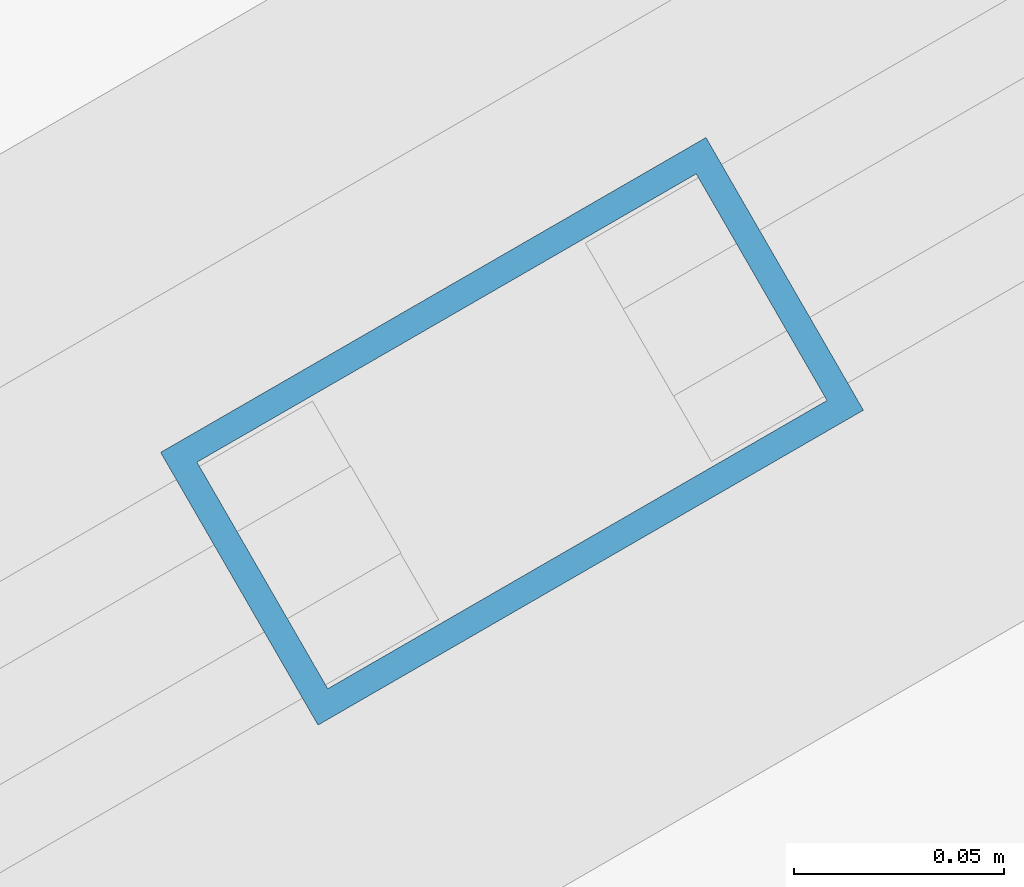
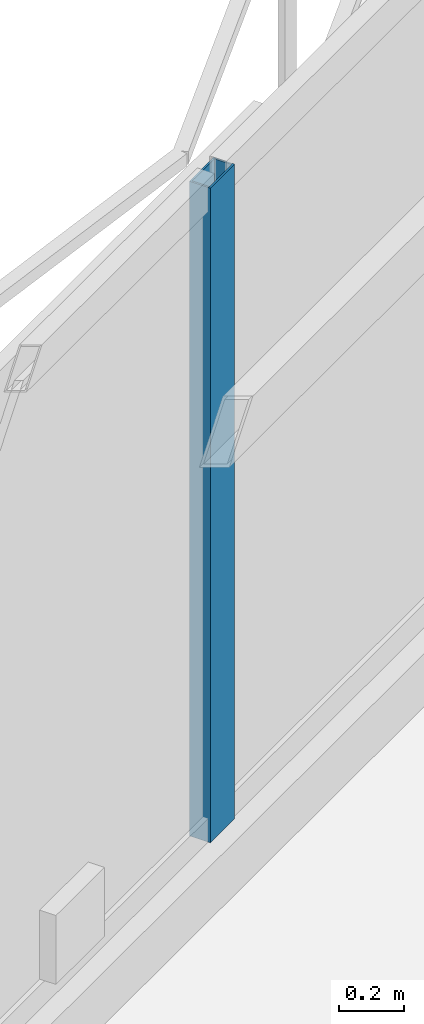
# One storey, part 11 of 22: 1 member, 1 element without a shape of its own.
"""IFC4 building model written with IfcOpenShell, lengths in metres."""

from ifc_helpers import new_model, si_unit, direction, frame, origin, origin_2d, place, context, subcontext, project, spatial, hollow_rectangle, extrude, material, layer, layer_set, material_profile, profile_set, type_object, element, aggregate, save


model = new_model("IFC4")

# Units and contexts
model_context = context("Model", 3, precision=1e-05, world=origin(), true_north=direction((0.0, 1.0)))
body_context = subcontext(model_context, "Body", "Model", "MODEL_VIEW")
ifc_project = project(units=[si_unit("LENGTHUNIT", "METRE"), si_unit("AREAUNIT", "SQUARE_METRE"), si_unit("VOLUMEUNIT", "CUBIC_METRE"), si_unit("PLANEANGLEUNIT", "RADIAN"), si_unit("MASSUNIT", "GRAM", prefix="KILO")], contexts=[model_context])

# Site, building, storey
site_placement = place(None, origin())
site = spatial("IfcSite", under=ifc_project, at=site_placement, CompositionType="ELEMENT")
building_placement = place(site_placement, origin())
building = spatial("IfcBuilding", under=site, at=building_placement, Name="Mersakhor Tower and Convention Hall", CompositionType="ELEMENT")
storey_placement = place(building_placement, frame((0.0, 0.0, 109.800048828125)))
storey = spatial("IfcBuildingStorey", under=building, at=storey_placement, Name="L30", CompositionType="ELEMENT", Elevation=109.800048828125)

# Curtain wall, member
ifc_material_1 = material(Name="Dark solar low-E aluminium curtain wall", Category="aluminium")
ifc_layer = layer(ifc_material_1, 0.159912109375)
ifc_layer_set = layer_set([ifc_layer], Name="Dark solar low-E aluminium curtain wall")
curtain_wall_type = type_object("IfcCurtainWallType", Name="CW-SYS-01", PredefinedType="USERDEFINED", material=ifc_layer_set)
curtain_wall_placement = place(storey_placement, origin())
curtain_wall = element("IfcCurtainWall", 1, at=curtain_wall_placement, inside=storey, type_object=curtain_wall_type, Name="L30 Dark-Glass Curtain Wall F1-B2", ObjectType="CURTAIN WALL", PredefinedType="USERDEFINED")
ifc_material_2 = material(Name="Anodised aluminium EN AW-6063 T6", Category="aluminium")
ifc_material_profile = material_profile(ifc_material_2, hollow_rectangle(XDim=0.074951171875, YDim=0.14990234375, WallThickness=0.00634765625, at=origin_2d()), Name="RHS 150x75x6.3")
ifc_profile_set = profile_set([ifc_material_profile], Name="Anodised aluminium EN AW-6063 T6")
member_type = type_object("IfcMemberType", Name="CWM-150x75", PredefinedType="MULLION", material=ifc_profile_set)
member_placement = place(storey_placement, frame((20.36181640625, 37.968505859375, 0.199951171875), z_axis=(0.0, 0.0, 1.0), x_axis=(-0.499997904985, 0.866026613339, 0.0)))
member = element("IfcMember", 2, at=member_placement, type_object=member_type, Name="CW-01 mullion 2", PredefinedType="MULLION", context=body_context, shape_type="SweptSolid", body=[
    extrude(hollow_rectangle(XDim=0.074951171875, YDim=0.14990234375, WallThickness=0.00634765625, at=origin_2d()), origin(), (0.0, 0.0, 1.0), 2.469970703125),
])
aggregate(curtain_wall, [member])

save(model, "model.ifc")
